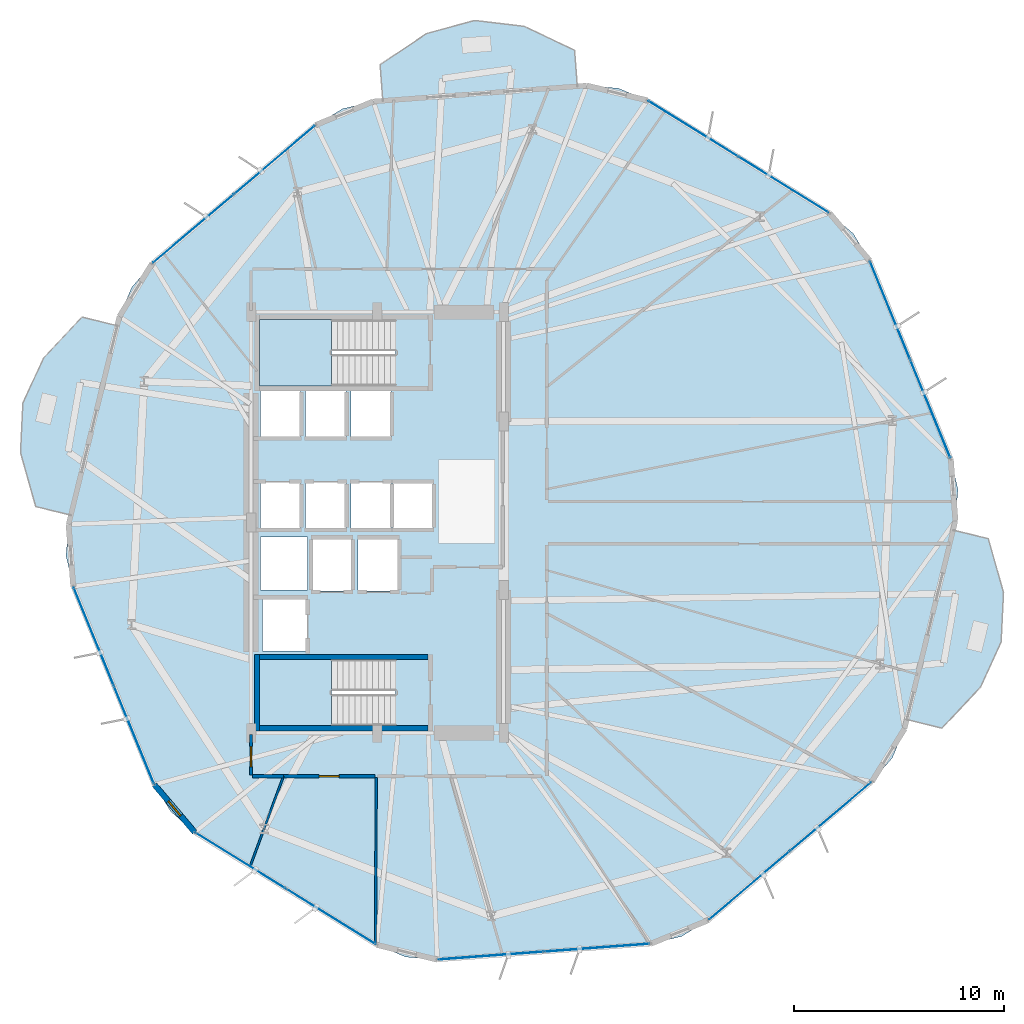
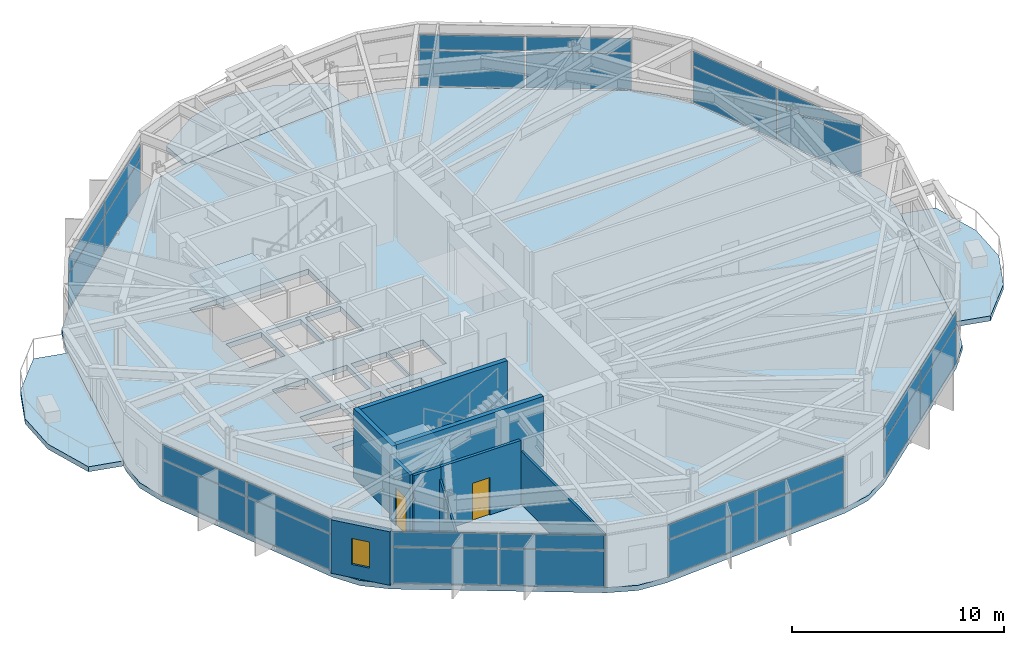
# One storey, part 15 of 22: 28 plates, 9 walls, 6 slabs, 2 doors, 1 window, 3 openings, 9 elements without a shape of their own.
"""IFC4 building model written with IfcOpenShell, lengths in metres."""

import ifcopenshell
import ifcopenshell.guid

model = None  # the IFC model being written
_history = None  # IfcOwnerHistory: only IFC2X3 demands one
_inside = {}  # id of a spatial element -> (the spatial element, [elements in it])
_under = {}  # id of a project, library or spatial element -> (it, [spatial elements below it])
_declared = {}  # id of a project -> (the project, [libraries it declares])
_typed = {}  # id of a type object -> (the type object, [elements of that type])
_made_of = {}  # id of a material, layer set ... -> (it, [elements and type objects made of it])


def new_model(schema):
    """Start an empty IFC model of exactly this schema.

    Asked for "IFC4X3", IfcOpenShell would pick the latest addendum, in which some entities
    have other attributes; the version numbers below select the first issue.
    IFC2X3 requires an IfcOwnerHistory on every rooted entity: one is made here for all.
    """
    global model, _history
    if schema == "IFC4X3":
        model = ifcopenshell.file(schema_version=(4, 3, 0, 0))
    else:
        model = ifcopenshell.file(schema=schema)
    _inside.clear()
    _under.clear()
    _declared.clear()
    _typed.clear()
    _made_of.clear()
    _history = None
    if model.schema == "IFC2X3":
        org = make("IfcOrganization", Name="unknown")
        user = make(
            "IfcPersonAndOrganization",
            ThePerson=make("IfcPerson", FamilyName="unknown"),
            TheOrganization=org,
        )
        app = make(
            "IfcApplication",
            ApplicationDeveloper=org,
            Version="unknown",
            ApplicationFullName="unknown",
            ApplicationIdentifier="unknown",
        )
        _history = make(
            "IfcOwnerHistory",
            OwningUser=user,
            OwningApplication=app,
            ChangeAction="ADDED",
            CreationDate=0,
        )
    return model


def make(cls, **values):
    """One entity of the class cls with the attributes given. An attribute that is None is left unset."""
    return model.create_entity(
        cls, **{name: value for name, value in values.items() if value is not None}
    )


def rooted(cls, **values):
    """An entity with a GlobalId (a new one), such as an element, a storey or a relation."""
    return make(cls, GlobalId=ifcopenshell.guid.new(), OwnerHistory=_history, **values)


def si_unit(unit_type, name, prefix=None):
    """IfcSIUnit, for example si_unit("LENGTHUNIT", "METRE", prefix="MILLI")."""
    return make("IfcSIUnit", UnitType=unit_type, Prefix=prefix, Name=name)


def assignment(units):
    """IfcUnitAssignment: the units of a project."""
    return None if units is None else make("IfcUnitAssignment", Units=units)


def point(xyz):
    """IfcCartesianPoint."""
    return None if xyz is None else make("IfcCartesianPoint", Coordinates=xyz)


def direction(xyz):
    """IfcDirection."""
    return None if xyz is None else make("IfcDirection", DirectionRatios=xyz)


def frame(location, z_axis=None, x_axis=None):
    """IfcAxis2Placement3D, a coordinate frame: its origin and axes. An axis left out is left unset."""
    return make(
        "IfcAxis2Placement3D",
        Location=point(location),
        Axis=direction(z_axis),
        RefDirection=direction(x_axis),
    )


def frame_2d(location, x_axis=None):
    """IfcAxis2Placement2D, a coordinate frame in the plane: its origin and x axis."""
    return make(
        "IfcAxis2Placement2D", Location=point(location), RefDirection=direction(x_axis)
    )


def origin():
    """The frame at (0, 0, 0) with its axes left unset."""
    return frame((0.0, 0.0, 0.0))


def origin_2d():
    """The frame at (0, 0) in the plane with its x axis left unset."""
    return frame_2d((0.0, 0.0))


def place(relative_to, where):
    """IfcLocalPlacement: puts the frame where relative to a parent placement (None: the world)."""
    return make(
        "IfcLocalPlacement", PlacementRelTo=relative_to, RelativePlacement=where
    )


def context(
    kind, dimensions, precision=None, world=None, true_north=None, identifier=None
):
    """IfcGeometricRepresentationContext, for example the 3D "Model" context."""
    return make(
        "IfcGeometricRepresentationContext",
        ContextIdentifier=identifier,
        ContextType=kind,
        CoordinateSpaceDimension=dimensions,
        Precision=precision,
        WorldCoordinateSystem=world,
        TrueNorth=true_north,
    )


def subcontext(parent, identifier, kind, view, scale=None):
    """IfcGeometricRepresentationSubContext, for example "Body" below "Model"."""
    return make(
        "IfcGeometricRepresentationSubContext",
        ContextIdentifier=identifier,
        ContextType=kind,
        ParentContext=parent,
        TargetScale=scale,
        TargetView=view,
    )


def project(units=None, contexts=None):
    """IfcProject with its units and contexts."""
    return rooted(
        "IfcProject",
        Name="project",
        RepresentationContexts=contexts,
        UnitsInContext=assignment(units),
    )


def spatial(cls, under=None, at=None, **own):
    """A site, building, storey or space (cls), placed at a placement, below another one or the project."""
    s = rooted(cls, ObjectPlacement=at, **own)
    if under is not None:
        _under.setdefault(under.id(), (under, []))[1].append(s)
    return s


def polyline(points):
    """IfcPolyline through the points."""
    return make("IfcPolyline", Points=[point(p) for p in points])


def profile(cls, at=None, kind="AREA", **sizes):
    """A parametric profile (cls). Its sizes go by their IFC names, for example OverallWidth=200.0."""
    return make(cls, ProfileType=kind, Position=at, **sizes)


def rectangle(**sizes):
    """IfcRectangleProfileDef."""
    return profile("IfcRectangleProfileDef", **sizes)


def outline(outer, holes=None, kind="AREA"):
    """IfcArbitraryClosedProfileDef: a profile drawn as a closed curve; with holes, ...WithVoids."""
    if holes is None:
        return make("IfcArbitraryClosedProfileDef", ProfileType=kind, OuterCurve=outer)
    return make(
        "IfcArbitraryProfileDefWithVoids",
        ProfileType=kind,
        OuterCurve=outer,
        InnerCurves=holes,
    )


def extrude(swept, where, along, depth):
    """IfcExtrudedAreaSolid: the profile swept, set in the frame where, extruded along a direction by depth."""
    return make(
        "IfcExtrudedAreaSolid",
        SweptArea=swept,
        Position=where,
        ExtrudedDirection=direction(along),
        Depth=depth,
    )


def shape(context_of_items, identifier, shape_type, items):
    """IfcShapeRepresentation: the items that make up one representation, for example the "Body"."""
    return make(
        "IfcShapeRepresentation",
        ContextOfItems=context_of_items,
        RepresentationIdentifier=identifier,
        RepresentationType=shape_type,
        Items=items,
    )


def material(Name=None, Category=None):
    """IfcMaterial."""
    return make("IfcMaterial", Name=Name, Category=Category)


def layer(
    of_material, thickness, ventilated=None, Name=None, Category=None, Priority=None
):
    """IfcMaterialLayer: one layer of a wall or slab, of a material (None: an air gap)."""
    return make(
        "IfcMaterialLayer",
        Material=of_material,
        LayerThickness=thickness,
        IsVentilated=ventilated,
        Name=Name,
        Category=Category,
        Priority=Priority,
    )


def layer_set(layers, Name=None):
    """IfcMaterialLayerSet."""
    return make("IfcMaterialLayerSet", MaterialLayers=layers, LayerSetName=Name)


def made_of(thing, what):
    """Note that an element or type object is made of a material, layer set ...; save() writes the relation."""
    if what is not None:
        _made_of.setdefault(what.id(), (what, []))[1].append(thing)
    return thing


def type_object(cls, material=None, **own):
    """A type object (cls), such as IfcWallType, which elements share."""
    return made_of(rooted(cls, **own), material)


def element(
    cls,
    number,
    at=None,
    inside=None,
    cuts=None,
    type_object=None,
    material=None,
    context=None,
    identifier="Body",
    shape_type=None,
    held_by="IfcProductDefinitionShape",
    body=None,
    shapes=None,
    **own,
):
    """One element of the class cls, such as IfcWall. Its Tag is "e" and its number.

    at: its placement. inside: the storey or other place that contains it. cuts: it is an
    opening in that element (IfcRelVoidsElement). A single representation is given by context,
    identifier, shape_type and body (its items); several are given by shapes. held_by: the class
    of the entity that holds the representations. save() writes the other relations.
    """
    e = rooted(cls, Tag="e%d" % number, ObjectPlacement=at, **own)
    if body is not None:
        shapes = [shape(context, identifier, shape_type, body)]
    if shapes is not None:
        e.Representation = make(held_by, Representations=shapes)
    if inside is not None:
        _inside.setdefault(inside.id(), (inside, []))[1].append(e)
    if cuts is not None:
        rooted(
            "IfcRelVoidsElement", RelatingBuildingElement=cuts, RelatedOpeningElement=e
        )
    if type_object is not None:
        _typed.setdefault(type_object.id(), (type_object, []))[1].append(e)
    return made_of(e, material)


def fill(opening, filler):
    """IfcRelFillsElement: the door or window that sits in an opening."""
    return rooted(
        "IfcRelFillsElement",
        RelatingOpeningElement=opening,
        RelatedBuildingElement=filler,
    )


def aggregate(whole, parts):
    """IfcRelAggregates: a whole, such as a stair, and the parts it consists of."""
    return rooted("IfcRelAggregates", RelatingObject=whole, RelatedObjects=parts)


def save(model, path):
    """Write the relations noted so far, then the file.

    IfcRelAggregates (storeys below a building ...), IfcRelContainedInSpatialStructure (elements
    in a storey), IfcRelDefinesByType, IfcRelAssociatesMaterial and IfcRelDeclares: one each for
    every whole, place, type object, material and project.
    """
    for whole, parts in _under.values():
        aggregate(whole, parts)
    for where, things in _inside.values():
        rooted(
            "IfcRelContainedInSpatialStructure",
            RelatedElements=things,
            RelatingStructure=where,
        )
    for kind, things in _typed.values():
        rooted("IfcRelDefinesByType", RelatedObjects=things, RelatingType=kind)
    for what, things in _made_of.values():
        rooted("IfcRelAssociatesMaterial", RelatedObjects=things, RelatingMaterial=what)
    for by, libraries in _declared.values():
        rooted("IfcRelDeclares", RelatingContext=by, RelatedDefinitions=libraries)
    model.write(path)


model = new_model("IFC4")

# Units and contexts
model_context = context("Model", 3, precision=1e-05, world=origin(), true_north=direction((0.0, 1.0)))
body_context = subcontext(model_context, "Body", "Model", "MODEL_VIEW")
ifc_project = project(units=[si_unit("LENGTHUNIT", "METRE"), si_unit("AREAUNIT", "SQUARE_METRE"), si_unit("VOLUMEUNIT", "CUBIC_METRE"), si_unit("PLANEANGLEUNIT", "RADIAN"), si_unit("MASSUNIT", "GRAM", prefix="KILO")], contexts=[model_context])

# Site, building, storey
site_placement = place(None, origin())
site = spatial("IfcSite", under=ifc_project, at=site_placement, CompositionType="ELEMENT")
building_placement = place(site_placement, origin())
building = spatial("IfcBuilding", under=site, at=building_placement, Name="Soratama Intermodal Tower", CompositionType="ELEMENT")
storey_placement = place(building_placement, frame((0.0, 0.0, 46.60009765625)))
storey = spatial("IfcBuildingStorey", under=building, at=storey_placement, Name="L10", CompositionType="ELEMENT", Elevation=46.60009765625)

# Curtain wall, plates
ifc_material_1 = material(Name="Double-glazed aluminium curtain wall", Category="aluminium")
ifc_layer_1 = layer(ifc_material_1, 0.159912109375)
ifc_layer_set_1 = layer_set([ifc_layer_1], Name="Double-glazed aluminium curtain wall")
curtain_wall_type = type_object("IfcCurtainWallType", Name="CW-SYS-2", PredefinedType="NOTDEFINED", material=ifc_layer_set_1)
curtain_wall_1_placement = place(storey_placement, origin())
curtain_wall_1 = element("IfcCurtainWall", 1, at=curtain_wall_1_placement, inside=storey, type_object=curtain_wall_type, Name="L10 Faceted Curtain Wall F01", PredefinedType="NOTDEFINED")
ifc_material_2 = material(Name="Low-E laminated double glazing", Category="glass")
ifc_layer_2 = layer(ifc_material_2, 0.031982421875)
ifc_layer_set_2 = layer_set([ifc_layer_2], Name="Low-E laminated double glazing")
plate_type = type_object("IfcPlateType", Name="PT-CWP-2", PredefinedType="CURTAIN_PANEL", material=ifc_layer_set_2)
plate_1_placement = place(storey_placement, frame((64.876220703125, 30.40576171875, 0.059814453125), z_axis=(0.0, 0.0, 1.0), x_axis=(-0.378812873636, 0.925473287982, 0.0)))
plate_1 = element("IfcPlate", 2, at=plate_1_placement, type_object=plate_type, Name="CW-2 panel 1.1", PredefinedType="CURTAIN_PANEL", context=body_context, shape_type="SweptSolid", body=[
    extrude(rectangle(XDim=4.99267578125, YDim=0.028076171875, at=origin_2d()), origin(), (0.0, 0.0, 1.0), 2.06005859375),
])
plate_2_placement = place(storey_placement, frame((64.876220703125, 30.40576171875, 2.1796875), z_axis=(0.0, 0.0, 1.0), x_axis=(-0.378812873636, 0.925473287982, 0.0)))
plate_2 = element("IfcPlate", 3, at=plate_2_placement, type_object=plate_type, Name="CW-2 panel 1.2", PredefinedType="CURTAIN_PANEL", context=body_context, shape_type="SweptSolid", body=[
    extrude(rectangle(XDim=4.99267578125, YDim=0.028076171875, at=origin_2d()), origin(), (0.0, 0.0, 1.0), 0.839111328125),
])
plate_3_placement = place(storey_placement, frame((62.962158203125, 35.08203125, 0.059814453125), z_axis=(0.0, 0.0, 1.0), x_axis=(-0.378812873636, 0.925473287982, 0.0)))
plate_3 = element("IfcPlate", 4, at=plate_3_placement, type_object=plate_type, Name="CW-2 panel 2.1", PredefinedType="CURTAIN_PANEL", context=body_context, shape_type="SweptSolid", body=[
    extrude(rectangle(XDim=4.99267578125, YDim=0.028076171875, at=origin_2d()), origin(), (0.0, 0.0, 1.0), 2.06005859375),
])
plate_4_placement = place(storey_placement, frame((62.962158203125, 35.08203125, 2.1796875), z_axis=(0.0, 0.0, 1.0), x_axis=(-0.378812873636, 0.925473287982, 0.0)))
plate_4 = element("IfcPlate", 5, at=plate_4_placement, type_object=plate_type, Name="CW-2 panel 2.2", PredefinedType="CURTAIN_PANEL", context=body_context, shape_type="SweptSolid", body=[
    extrude(rectangle(XDim=4.99267578125, YDim=0.028076171875, at=origin_2d()), origin(), (0.0, 0.0, 1.0), 0.839111328125),
])
aggregate(curtain_wall_1, [plate_1, plate_2, plate_3, plate_4])

curtain_wall_2_placement = place(storey_placement, origin())
curtain_wall_2 = element("IfcCurtainWall", 6, at=curtain_wall_2_placement, inside=storey, type_object=curtain_wall_type, Name="L10 Faceted Curtain Wall F02", PredefinedType="NOTDEFINED")
plate_5_placement = place(storey_placement, frame((57.902587890625, 41.056396484375, 0.059814453125), z_axis=(0.0, 0.0, 1.0), x_axis=(-0.85044853951, 0.526058249289, 0.0)))
plate_5 = element("IfcPlate", 7, at=plate_5_placement, type_object=plate_type, Name="CW-2 panel 1.1", PredefinedType="CURTAIN_PANEL", context=body_context, shape_type="SweptSolid", body=[
    extrude(rectangle(XDim=4.99267578125, YDim=0.028076171875, at=origin_2d()), origin(), (0.0, 0.0, 1.0), 2.06005859375),
])
plate_6_placement = place(storey_placement, frame((57.902587890625, 41.056396484375, 2.1796875), z_axis=(0.0, 0.0, 1.0), x_axis=(-0.85044853951, 0.526058249289, 0.0)))
plate_6 = element("IfcPlate", 8, at=plate_6_placement, type_object=plate_type, Name="CW-2 panel 1.2", PredefinedType="CURTAIN_PANEL", context=body_context, shape_type="SweptSolid", body=[
    extrude(rectangle(XDim=4.99267578125, YDim=0.028076171875, at=origin_2d()), origin(), (0.0, 0.0, 1.0), 0.839111328125),
])
plate_7_placement = place(storey_placement, frame((53.605712890625, 43.71435546875, 0.059814453125), z_axis=(0.0, 0.0, 1.0), x_axis=(-0.85044853951, 0.526058249289, 0.0)))
plate_7 = element("IfcPlate", 9, at=plate_7_placement, type_object=plate_type, Name="CW-2 panel 2.1", PredefinedType="CURTAIN_PANEL", context=body_context, shape_type="SweptSolid", body=[
    extrude(rectangle(XDim=4.99267578125, YDim=0.028076171875, at=origin_2d()), origin(), (0.0, 0.0, 1.0), 2.06005859375),
])
plate_8_placement = place(storey_placement, frame((53.605712890625, 43.71435546875, 2.1796875), z_axis=(0.0, 0.0, 1.0), x_axis=(-0.85044853951, 0.526058249289, 0.0)))
plate_8 = element("IfcPlate", 10, at=plate_8_placement, type_object=plate_type, Name="CW-2 panel 2.2", PredefinedType="CURTAIN_PANEL", context=body_context, shape_type="SweptSolid", body=[
    extrude(rectangle(XDim=4.99267578125, YDim=0.028076171875, at=origin_2d()), origin(), (0.0, 0.0, 1.0), 0.839111328125),
])
aggregate(curtain_wall_2, [plate_5, plate_6, plate_7, plate_8])

curtain_wall_3_placement = place(storey_placement, origin())
curtain_wall_3 = element("IfcCurtainWall", 11, at=curtain_wall_3_placement, inside=storey, type_object=curtain_wall_type, Name="L10 Faceted Curtain Wall F04", PredefinedType="NOTDEFINED")
plate_9_placement = place(storey_placement, frame((33.716552734375, 42.23291015625, 0.059814453125), z_axis=(0.0, 0.0, 1.0), x_axis=(-0.763117929419, -0.646259255872, 0.0)))
plate_9 = element("IfcPlate", 12, at=plate_9_placement, type_object=plate_type, Name="CW-2 panel 1.1", PredefinedType="CURTAIN_PANEL", context=body_context, shape_type="SweptSolid", body=[
    extrude(rectangle(XDim=4.99267578125, YDim=0.028076171875, at=origin_2d()), origin(), (0.0, 0.0, 1.0), 2.06005859375),
])
plate_10_placement = place(storey_placement, frame((33.716552734375, 42.23291015625, 2.1796875), z_axis=(0.0, 0.0, 1.0), x_axis=(-0.763117929419, -0.646259255872, 0.0)))
plate_10 = element("IfcPlate", 13, at=plate_10_placement, type_object=plate_type, Name="CW-2 panel 1.2", PredefinedType="CURTAIN_PANEL", context=body_context, shape_type="SweptSolid", body=[
    extrude(rectangle(XDim=4.99267578125, YDim=0.028076171875, at=origin_2d()), origin(), (0.0, 0.0, 1.0), 0.839111328125),
])
plate_11_placement = place(storey_placement, frame((29.86083984375, 38.967529296875, 0.059814453125), z_axis=(0.0, 0.0, 1.0), x_axis=(-0.763117929419, -0.646259255872, 0.0)))
plate_11 = element("IfcPlate", 14, at=plate_11_placement, type_object=plate_type, Name="CW-2 panel 2.1", PredefinedType="CURTAIN_PANEL", context=body_context, shape_type="SweptSolid", body=[
    extrude(rectangle(XDim=4.99267578125, YDim=0.028076171875, at=origin_2d()), origin(), (0.0, 0.0, 1.0), 2.06005859375),
])
plate_12_placement = place(storey_placement, frame((29.86083984375, 38.967529296875, 2.1796875), z_axis=(0.0, 0.0, 1.0), x_axis=(-0.763117929419, -0.646259255872, 0.0)))
plate_12 = element("IfcPlate", 15, at=plate_12_placement, type_object=plate_type, Name="CW-2 panel 2.2", PredefinedType="CURTAIN_PANEL", context=body_context, shape_type="SweptSolid", body=[
    extrude(rectangle(XDim=4.99267578125, YDim=0.028076171875, at=origin_2d()), origin(), (0.0, 0.0, 1.0), 0.839111328125),
])
aggregate(curtain_wall_3, [plate_9, plate_10, plate_11, plate_12])

curtain_wall_4_placement = place(storey_placement, origin())
curtain_wall_4 = element("IfcCurtainWall", 16, at=curtain_wall_4_placement, inside=storey, type_object=curtain_wall_type, Name="L10 Faceted Curtain Wall F06", PredefinedType="NOTDEFINED")
plate_13_placement = place(storey_placement, frame((25.123779296875, 19.59423828125, 0.059814453125), z_axis=(0.0, 0.0, 1.0), x_axis=(0.378812873636, -0.925473287982, 0.0)))
plate_13 = element("IfcPlate", 17, at=plate_13_placement, type_object=plate_type, Name="CW-2 panel 1.1", PredefinedType="CURTAIN_PANEL", context=body_context, shape_type="SweptSolid", body=[
    extrude(rectangle(XDim=4.99267578125, YDim=0.028076171875, at=origin_2d()), origin(), (0.0, 0.0, 1.0), 2.06005859375),
])
plate_14_placement = place(storey_placement, frame((25.123779296875, 19.59423828125, 2.1796875), z_axis=(0.0, 0.0, 1.0), x_axis=(0.378812873636, -0.925473287982, 0.0)))
plate_14 = element("IfcPlate", 18, at=plate_14_placement, type_object=plate_type, Name="CW-2 panel 1.2", PredefinedType="CURTAIN_PANEL", context=body_context, shape_type="SweptSolid", body=[
    extrude(rectangle(XDim=4.99267578125, YDim=0.028076171875, at=origin_2d()), origin(), (0.0, 0.0, 1.0), 0.839111328125),
])
plate_15_placement = place(storey_placement, frame((27.037841796875, 14.91796875, 0.059814453125), z_axis=(0.0, 0.0, 1.0), x_axis=(0.378812873636, -0.925473287982, 0.0)))
plate_15 = element("IfcPlate", 19, at=plate_15_placement, type_object=plate_type, Name="CW-2 panel 2.1", PredefinedType="CURTAIN_PANEL", context=body_context, shape_type="SweptSolid", body=[
    extrude(rectangle(XDim=4.99267578125, YDim=0.028076171875, at=origin_2d()), origin(), (0.0, 0.0, 1.0), 2.06005859375),
])
plate_16_placement = place(storey_placement, frame((27.037841796875, 14.91796875, 2.1796875), z_axis=(0.0, 0.0, 1.0), x_axis=(0.378812873636, -0.925473287982, 0.0)))
plate_16 = element("IfcPlate", 20, at=plate_16_placement, type_object=plate_type, Name="CW-2 panel 2.2", PredefinedType="CURTAIN_PANEL", context=body_context, shape_type="SweptSolid", body=[
    extrude(rectangle(XDim=4.99267578125, YDim=0.028076171875, at=origin_2d()), origin(), (0.0, 0.0, 1.0), 0.839111328125),
])
aggregate(curtain_wall_4, [plate_13, plate_14, plate_15, plate_16])

curtain_wall_5_placement = place(storey_placement, origin())
curtain_wall_5 = element("IfcCurtainWall", 21, at=curtain_wall_5_placement, inside=storey, type_object=curtain_wall_type, Name="L10 Faceted Curtain Wall F07", PredefinedType="NOTDEFINED")
plate_17_placement = place(storey_placement, frame((32.097412109375, 8.943603515625, 0.059814453125), z_axis=(0.0, 0.0, 1.0), x_axis=(0.85044853951, -0.526058249289, 0.0)))
plate_17 = element("IfcPlate", 22, at=plate_17_placement, type_object=plate_type, Name="CW-2 panel 1.1", PredefinedType="CURTAIN_PANEL", context=body_context, shape_type="SweptSolid", body=[
    extrude(rectangle(XDim=4.99267578125, YDim=0.028076171875, at=origin_2d()), origin(), (0.0, 0.0, 1.0), 2.06005859375),
])
plate_18_placement = place(storey_placement, frame((32.097412109375, 8.943603515625, 2.1796875), z_axis=(0.0, 0.0, 1.0), x_axis=(0.85044853951, -0.526058249289, 0.0)))
plate_18 = element("IfcPlate", 23, at=plate_18_placement, type_object=plate_type, Name="CW-2 panel 1.2", PredefinedType="CURTAIN_PANEL", context=body_context, shape_type="SweptSolid", body=[
    extrude(rectangle(XDim=4.99267578125, YDim=0.028076171875, at=origin_2d()), origin(), (0.0, 0.0, 1.0), 0.839111328125),
])
plate_19_placement = place(storey_placement, frame((36.394287109375, 6.28564453125, 0.059814453125), z_axis=(0.0, 0.0, 1.0), x_axis=(0.85044853951, -0.526058249289, 0.0)))
plate_19 = element("IfcPlate", 24, at=plate_19_placement, type_object=plate_type, Name="CW-2 panel 2.1", PredefinedType="CURTAIN_PANEL", context=body_context, shape_type="SweptSolid", body=[
    extrude(rectangle(XDim=4.99267578125, YDim=0.028076171875, at=origin_2d()), origin(), (0.0, 0.0, 1.0), 2.06005859375),
])
plate_20_placement = place(storey_placement, frame((36.394287109375, 6.28564453125, 2.1796875), z_axis=(0.0, 0.0, 1.0), x_axis=(0.85044853951, -0.526058249289, 0.0)))
plate_20 = element("IfcPlate", 25, at=plate_20_placement, type_object=plate_type, Name="CW-2 panel 2.2", PredefinedType="CURTAIN_PANEL", context=body_context, shape_type="SweptSolid", body=[
    extrude(rectangle(XDim=4.99267578125, YDim=0.028076171875, at=origin_2d()), origin(), (0.0, 0.0, 1.0), 0.839111328125),
])
aggregate(curtain_wall_5, [plate_17, plate_18, plate_19, plate_20])

curtain_wall_6_placement = place(storey_placement, origin())
curtain_wall_6 = element("IfcCurtainWall", 26, at=curtain_wall_6_placement, inside=storey, type_object=curtain_wall_type, Name="L10 Faceted Curtain Wall F08", PredefinedType="NOTDEFINED")
plate_21_placement = place(storey_placement, frame((43.999267578125, 4.42626953125, 0.059814453125), z_axis=(0.0, 0.0, 1.0), x_axis=(0.997237204267, 0.074282961886, 0.0)))
plate_21 = element("IfcPlate", 27, at=plate_21_placement, type_object=plate_type, Name="CW-2 panel 1.1", PredefinedType="CURTAIN_PANEL", context=body_context, shape_type="SweptSolid", body=[
    extrude(rectangle(XDim=4.99267578125, YDim=0.028076171875, at=origin_2d()), origin(), (0.0, 0.0, 1.0), 2.06005859375),
])
plate_22_placement = place(storey_placement, frame((43.999267578125, 4.42626953125, 2.1796875), z_axis=(0.0, 0.0, 1.0), x_axis=(0.997237204267, 0.074282961886, 0.0)))
plate_22 = element("IfcPlate", 28, at=plate_22_placement, type_object=plate_type, Name="CW-2 panel 1.2", PredefinedType="CURTAIN_PANEL", context=body_context, shape_type="SweptSolid", body=[
    extrude(rectangle(XDim=4.99267578125, YDim=0.028076171875, at=origin_2d()), origin(), (0.0, 0.0, 1.0), 0.839111328125),
])
plate_23_placement = place(storey_placement, frame((49.037841796875, 4.801513671875, 0.059814453125), z_axis=(0.0, 0.0, 1.0), x_axis=(0.997237204267, 0.074282961886, 0.0)))
plate_23 = element("IfcPlate", 29, at=plate_23_placement, type_object=plate_type, Name="CW-2 panel 2.1", PredefinedType="CURTAIN_PANEL", context=body_context, shape_type="SweptSolid", body=[
    extrude(rectangle(XDim=4.99267578125, YDim=0.028076171875, at=origin_2d()), origin(), (0.0, 0.0, 1.0), 2.06005859375),
])
plate_24_placement = place(storey_placement, frame((49.037841796875, 4.801513671875, 2.1796875), z_axis=(0.0, 0.0, 1.0), x_axis=(0.997237204267, 0.074282961886, 0.0)))
plate_24 = element("IfcPlate", 30, at=plate_24_placement, type_object=plate_type, Name="CW-2 panel 2.2", PredefinedType="CURTAIN_PANEL", context=body_context, shape_type="SweptSolid", body=[
    extrude(rectangle(XDim=4.99267578125, YDim=0.028076171875, at=origin_2d()), origin(), (0.0, 0.0, 1.0), 0.839111328125),
])
aggregate(curtain_wall_6, [plate_21, plate_22, plate_23, plate_24])

curtain_wall_7_placement = place(storey_placement, origin())
curtain_wall_7 = element("IfcCurtainWall", 31, at=curtain_wall_7_placement, inside=storey, type_object=curtain_wall_type, Name="L10 Faceted Curtain Wall F09", PredefinedType="NOTDEFINED")
plate_25_placement = place(storey_placement, frame((56.283447265625, 7.76708984375, 0.059814453125), z_axis=(0.0, 0.0, 1.0), x_axis=(0.763117929419, 0.646259255872, 0.0)))
plate_25 = element("IfcPlate", 32, at=plate_25_placement, type_object=plate_type, Name="CW-2 panel 1.1", PredefinedType="CURTAIN_PANEL", context=body_context, shape_type="SweptSolid", body=[
    extrude(rectangle(XDim=4.99267578125, YDim=0.028076171875, at=origin_2d()), origin(), (0.0, 0.0, 1.0), 2.06005859375),
])
plate_26_placement = place(storey_placement, frame((56.283447265625, 7.76708984375, 2.1796875), z_axis=(0.0, 0.0, 1.0), x_axis=(0.763117929419, 0.646259255872, 0.0)))
plate_26 = element("IfcPlate", 33, at=plate_26_placement, type_object=plate_type, Name="CW-2 panel 1.2", PredefinedType="CURTAIN_PANEL", context=body_context, shape_type="SweptSolid", body=[
    extrude(rectangle(XDim=4.99267578125, YDim=0.028076171875, at=origin_2d()), origin(), (0.0, 0.0, 1.0), 0.839111328125),
])
plate_27_placement = place(storey_placement, frame((60.13916015625, 11.032470703125, 0.059814453125), z_axis=(0.0, 0.0, 1.0), x_axis=(0.763117929419, 0.646259255872, 0.0)))
plate_27 = element("IfcPlate", 34, at=plate_27_placement, type_object=plate_type, Name="CW-2 panel 2.1", PredefinedType="CURTAIN_PANEL", context=body_context, shape_type="SweptSolid", body=[
    extrude(rectangle(XDim=4.99267578125, YDim=0.028076171875, at=origin_2d()), origin(), (0.0, 0.0, 1.0), 2.06005859375),
])
plate_28_placement = place(storey_placement, frame((60.13916015625, 11.032470703125, 2.1796875), z_axis=(0.0, 0.0, 1.0), x_axis=(0.763117929419, 0.646259255872, 0.0)))
plate_28 = element("IfcPlate", 35, at=plate_28_placement, type_object=plate_type, Name="CW-2 panel 2.2", PredefinedType="CURTAIN_PANEL", context=body_context, shape_type="SweptSolid", body=[
    extrude(rectangle(XDim=4.99267578125, YDim=0.028076171875, at=origin_2d()), origin(), (0.0, 0.0, 1.0), 0.839111328125),
])
aggregate(curtain_wall_7, [plate_25, plate_26, plate_27, plate_28])

# Slabs
ifc_material_3 = material(Name="Concrete f'c 42 MPa", Category="concrete")
ifc_layer_3 = layer(ifc_material_3, 0.2900390625)
ifc_layer_set_3 = layer_set([ifc_layer_3], Name="Concrete f'c 42 MPa")
slab_type_1 = type_object("IfcSlabType", Name="SL-EXT-BAL2", PredefinedType="FLOOR", material=ifc_layer_set_3)
slab_1_placement = place(storey_placement, frame((0.0, 0.0, -0.2900390625)))
element("IfcSlab", 36, at=slab_1_placement, inside=storey, type_object=slab_type_1, Name="L10 Planted Balcony East 1", PredefinedType="FLOOR", context=body_context, shape_type="SweptSolid", body=[
    extrude(outline(polyline([(63.75732421875, 15.64453125), (65.9580078125, 24.64453125), (67.62890625, 24.236083984375), (68.35205078125, 21.6748046875), (68.238037109375, 19.318115234375), (67.251708984375, 17.174560546875), (65.42822265625, 15.236083984375), (63.75732421875, 15.64453125)])), origin(), (0.0, 0.0, 1.0), 0.2900390625),
])
slab_2_placement = place(storey_placement, frame((0.0, 0.0, -0.2900390625)))
element("IfcSlab", 37, at=slab_2_placement, inside=storey, type_object=slab_type_1, Name="L10 Planted Balcony North 2", PredefinedType="FLOOR", context=body_context, shape_type="SweptSolid", body=[
    extrude(outline(polyline([(48.101318359375, 45.730224609375), (38.86181640625, 45.0419921875), (38.73388671875, 46.75732421875), (40.9462890625, 48.236572265625), (43.222900390625, 48.8564453125), (45.566162109375, 48.580810546875), (47.973388671875, 47.445556640625), (48.101318359375, 45.730224609375)])), origin(), (0.0, 0.0, 1.0), 0.2900390625),
])
slab_3_placement = place(storey_placement, frame((0.0, 0.0, -0.2900390625)))
element("IfcSlab", 38, at=slab_3_placement, inside=storey, type_object=slab_type_1, Name="L10 Planted Balcony West 3", PredefinedType="FLOOR", context=body_context, shape_type="SweptSolid", body=[
    extrude(outline(polyline([(26.24267578125, 34.35546875), (24.0419921875, 25.35546875), (22.37109375, 25.763916015625), (21.64794921875, 28.3251953125), (21.761962890625, 30.681884765625), (22.748291015625, 32.825439453125), (24.57177734375, 34.763916015625), (26.24267578125, 34.35546875)])), origin(), (0.0, 0.0, 1.0), 0.2900390625),
])

# Stair, slab
ifc_material_4 = material(Name="Concrete f'c 42 MPa", Category="concrete")
stair_type = type_object("IfcStairType", Name="ST-CORE-DOGLEG", PredefinedType="HALF_TURN_STAIR", material=ifc_material_4)
stair_1_placement = place(storey_placement, origin())
stair_1 = element("IfcStair", 39, at=stair_1_placement, inside=storey, type_object=stair_type, Name="L10 ST-1", PredefinedType="HALF_TURN_STAIR")
ifc_material_5 = material(Name="Concrete f'c 42 MPa", Category="concrete")
ifc_layer_4 = layer(ifc_material_5, 0.219970703125)
ifc_layer_set_4 = layer_set([ifc_layer_4], Name="Concrete f'c 42 MPa")
slab_type_2 = type_object("IfcSlabType", Name="SL-STAIR-LAND", PredefinedType="LANDING", material=ifc_layer_set_4)
slab_4_placement = place(storey_placement, frame((0.0, 0.0, 1.7998046875)))
slab_4 = element("IfcSlab", 40, at=slab_4_placement, type_object=slab_type_2, Name="ST-1 landing 1", PredefinedType="LANDING", context=body_context, shape_type="SweptSolid", body=[
    extrude(outline(polyline([(36.419921875, 18.5), (33.0, 18.5), (33.0, 15.35009765625), (36.419921875, 15.35009765625), (36.419921875, 18.5)])), origin(), (0.0, 0.0, 1.0), 0.2001953125),
])
aggregate(stair_1, [slab_4])

stair_2_placement = place(storey_placement, origin())
stair_2 = element("IfcStair", 41, at=stair_2_placement, inside=storey, type_object=stair_type, Name="L10 ST-2", PredefinedType="HALF_TURN_STAIR")
slab_5_placement = place(storey_placement, frame((0.0, 0.0, 1.7998046875)))
slab_5 = element("IfcSlab", 42, at=slab_5_placement, type_object=slab_type_2, Name="ST-2 landing 1", PredefinedType="LANDING", context=body_context, shape_type="SweptSolid", body=[
    extrude(outline(polyline([(36.419921875, 34.64990234375), (33.0, 34.64990234375), (33.0, 31.5), (36.419921875, 31.5), (36.419921875, 34.64990234375)])), origin(), (0.0, 0.0, 1.0), 0.2001953125),
])
aggregate(stair_2, [slab_5])

# Slab
ifc_material_6 = material(Name="Concrete f'c 42 MPa", Category="concrete")
ifc_layer_5 = layer(ifc_material_6, 0.280029296875)
ifc_layer_set_5 = layer_set([ifc_layer_5], Name="Concrete f'c 42 MPa")
slab_type_3 = type_object("IfcSlabType", Name="SL-TWR-280", PredefinedType="FLOOR", material=ifc_layer_set_5)
slab_6_placement = place(storey_placement, frame((0.0, 0.0, -0.300048828125)))
element("IfcSlab", 43, at=slab_6_placement, inside=storey, type_object=slab_type_3, Name="L10 Structural Floor Slab", PredefinedType="FLOOR", context=body_context, shape_type="SweptSolid", body=[
    extrude(outline(polyline([(66.06494140625, 25.081787109375), (66.18896484375, 26.578369140625), (65.844482421875, 28.0400390625), (61.993896484375, 37.44775390625), (61.214599609375, 38.7314453125), (60.07666015625, 39.711669921875), (51.431640625, 45.05908203125), (50.046630859375, 45.6396484375), (48.550048828125, 45.763671875), (38.412841796875, 45.008544921875), (36.951171875, 44.664306640625), (35.66748046875, 43.885009765625), (27.91015625, 37.3154296875), (26.929931640625, 36.177734375), (26.349609375, 34.79248046875), (23.93505859375, 24.918212890625), (23.81103515625, 23.421630859375), (24.155517578125, 21.9599609375), (28.006103515625, 12.55224609375), (28.785400390625, 11.2685546875), (29.92333984375, 10.288330078125), (38.568359375, 4.94091796875), (39.953369140625, 4.3603515625), (41.449951171875, 4.236328125), (51.587158203125, 4.991455078125), (53.048828125, 5.335693359375), (54.33251953125, 6.114990234375), (62.08984375, 12.6845703125), (63.070068359375, 13.822265625), (63.650390625, 15.20751953125), (66.06494140625, 25.081787109375)]), holes=[polyline([(33.0, 18.5), (33.0, 15.35009765625), (39.47509765625, 15.35009765625), (39.47509765625, 18.5), (33.0, 18.5)]), polyline([(35.260009765625, 18.889892578125), (35.260009765625, 21.409912109375), (33.139892578125, 21.409912109375), (33.139892578125, 18.889892578125), (35.260009765625, 18.889892578125)]), polyline([(33.050048828125, 21.800048828125), (35.280029296875, 21.800048828125), (35.280029296875, 24.320068359375), (33.050048828125, 24.320068359375), (33.050048828125, 21.800048828125)]), polyline([(34.9599609375, 26.909912109375), (33.0400390625, 26.909912109375), (33.0400390625, 24.68994140625), (34.9599609375, 24.68994140625), (34.9599609375, 26.909912109375)]), polyline([(37.110107421875, 24.68994140625), (37.110107421875, 26.909912109375), (35.18994140625, 26.909912109375), (35.18994140625, 24.68994140625), (37.110107421875, 24.68994140625)]), polyline([(34.9599609375, 29.0400390625), (34.9599609375, 31.260009765625), (33.0400390625, 31.260009765625), (33.0400390625, 29.0400390625), (34.9599609375, 29.0400390625)]), polyline([(37.110107421875, 31.260009765625), (35.18994140625, 31.260009765625), (35.18994140625, 29.0400390625), (37.110107421875, 29.0400390625), (37.110107421875, 31.260009765625)]), polyline([(37.409912109375, 21.739990234375), (37.409912109375, 24.260009765625), (35.489990234375, 24.260009765625), (35.489990234375, 21.739990234375), (37.409912109375, 21.739990234375)]), polyline([(39.610107421875, 21.739990234375), (39.610107421875, 24.260009765625), (37.68994140625, 24.260009765625), (37.68994140625, 21.739990234375), (39.610107421875, 21.739990234375)]), polyline([(39.260009765625, 24.68994140625), (39.260009765625, 26.909912109375), (37.340087890625, 26.909912109375), (37.340087890625, 24.68994140625), (39.260009765625, 24.68994140625)]), polyline([(41.260009765625, 24.68994140625), (41.260009765625, 26.909912109375), (39.340087890625, 26.909912109375), (39.340087890625, 24.68994140625), (41.260009765625, 24.68994140625)]), polyline([(39.260009765625, 29.0400390625), (39.260009765625, 31.260009765625), (37.340087890625, 31.260009765625), (37.340087890625, 29.0400390625), (39.260009765625, 29.0400390625)]), polyline([(39.47509765625, 34.64990234375), (33.0, 34.64990234375), (33.0, 31.5), (39.47509765625, 31.5), (39.47509765625, 34.64990234375)])]), origin(), (0.0, 0.0, 1.0), 0.300048828125),
])

# Wall, opening, window
ifc_material_7 = material(Name="Concrete f'c 42 MPa", Category="concrete")
ifc_layer_6 = layer(ifc_material_7, 0.27001953125)
ifc_layer_set_6 = layer_set([ifc_layer_6], Name="Concrete f'c 42 MPa")
wall_type_1 = type_object("IfcWallType", Name="EW-CRN-270", PredefinedType="SOLIDWALL", material=ifc_layer_set_6)
wall_1_placement = place(storey_placement, frame((28.006103515625, 12.55224609375, 0.0), z_axis=(0.0, 0.0, 1.0), x_axis=(0.646259445531, -0.763117768803, 0.0)))
wall_1 = element("IfcWall", 44, at=wall_1_placement, inside=storey, type_object=wall_type_1, Name="L10 Corner Closure Wall 06", PredefinedType="SOLIDWALL", context=body_context, shape_type="SweptSolid", body=[
    extrude(rectangle(XDim=2.966552734375, YDim=0.27001953125, at=frame_2d((1.4833984375, 0.0))), origin(), (0.0, 0.0, 1.0), 3.078857421875),
])
opening_1_placement = place(wall_1_placement, frame((1.033203125, 0.0, 0.75)))
opening_1 = element("IfcOpeningElement", 45, at=opening_1_placement, cuts=wall_1, Name="Opening WN-6", PredefinedType="OPENING", context=body_context, shape_type="SweptSolid", body=[
    extrude(rectangle(XDim=0.89990234375, YDim=1.5, at=frame_2d((0.449951171875, 0.75))), frame((0.0, 0.14501953125, 0.0), z_axis=(0.0, -1.0, 0.0), x_axis=(1.0, 0.0, 0.0)), (0.0, 0.0, 1.0), 0.2900390625),
])
ifc_material_8 = material(Name="Double-glazed aluminium window", Category="aluminium")
window_type = type_object("IfcWindowType", Name="WN-FAC-900", PartitioningType="SINGLE_PANEL", PredefinedType="WINDOW", material=ifc_material_8)
window_placement = place(opening_1_placement, origin())
window = element("IfcWindow", 46, at=window_placement, inside=storey, type_object=window_type, Name="L10 Corner Window 06", OverallHeight=1.5, OverallWidth=0.89990234375, PartitioningType="SINGLE_PANEL", PredefinedType="WINDOW", context=body_context, shape_type="SweptSolid", body=[
    extrude(rectangle(XDim=0.89990234375, YDim=1.5, at=frame_2d((0.449951171875, 0.75))), frame((0.0, 0.030029296875, 0.0), z_axis=(0.0, -1.0, 0.0), x_axis=(1.0, 0.0, 0.0)), (0.0, 0.0, 1.0), 0.06005859375),
])
fill(opening_1, window)

# Wall, opening, door
ifc_material_9 = material(Name="Fire-rated gypsum stud partition", Category="concrete")
ifc_layer_7 = layer(ifc_material_9, 0.159912109375)
ifc_layer_set_7 = layer_set([ifc_layer_7], Name="Fire-rated gypsum stud partition")
wall_type_2 = type_object("IfcWallType", Name="IW-PART-R160", PredefinedType="PARTITIONING", material=ifc_layer_set_7)
wall_2_placement = place(storey_placement, frame((38.47900390625, 12.949951171875, 0.0), z_axis=(0.0, 0.0, 1.0), x_axis=(-1.0, 0.0, 0.0)))
wall_2 = element("IfcWall", 47, at=wall_2_placement, inside=storey, type_object=wall_type_2, Name="L10 Partition W-L10-TP021", PredefinedType="PARTITIONING", context=body_context, shape_type="SweptSolid", body=[
    extrude(rectangle(XDim=4.3359375, YDim=0.159912109375, at=frame_2d((2.16796875, 0.0))), origin(), (0.0, 0.0, 1.0), 3.699951171875),
])
opening_2_placement = place(wall_2_placement, frame((1.693115234375, 0.0, 0.0)))
opening_2 = element("IfcOpeningElement", 48, at=opening_2_placement, cuts=wall_2, Name="Opening ID-3", PredefinedType="OPENING", context=body_context, shape_type="SweptSolid", body=[
    extrude(rectangle(XDim=0.949951171875, YDim=2.14990234375, at=frame_2d((0.47509765625, 1.074951171875))), frame((0.0, 0.08984375, 0.0), z_axis=(0.0, -1.0, 0.0), x_axis=(1.0, 0.0, 0.0)), (0.0, 0.0, 1.0), 0.179931640625),
])
ifc_material_10 = material(Name="Solid hardwood acoustic door", Category="wood")
door_type = type_object("IfcDoorType", Name="DR-ROOM-950", OperationType="NOTDEFINED", PredefinedType="DOOR", material=ifc_material_10)
door_1_placement = place(opening_2_placement, origin())
door_1 = element("IfcDoor", 49, at=door_1_placement, inside=storey, type_object=door_type, Name="L10 Door D-L10-TP007", OperationType="SINGLE_SWING_RIGHT", OverallHeight=2.14990234375, OverallWidth=0.949951171875, PredefinedType="DOOR", context=body_context, shape_type="SweptSolid", body=[
    extrude(rectangle(XDim=0.949951171875, YDim=2.14990234375, at=frame_2d((0.47509765625, 1.074951171875))), frame((0.0, 0.02490234375, 0.0), z_axis=(0.0, -1.0, 0.0), x_axis=(1.0, 0.0, 0.0)), (0.0, 0.0, 1.0), 0.050048828125),
])
fill(opening_2, door_1)

wall_3_placement = place(storey_placement, frame((32.60009765625, 13.02001953125, 0.0), z_axis=(0.0, 0.0, 1.0), x_axis=(0.0, 1.0, 0.0)))
wall_3 = element("IfcWall", 50, at=wall_3_placement, inside=storey, type_object=wall_type_2, Name="L10 Partition W-L10-TP031", PredefinedType="PARTITIONING", context=body_context, shape_type="SweptSolid", body=[
    extrude(rectangle(XDim=1.909912109375, YDim=0.159912109375, at=frame_2d((0.955078125, 0.0))), origin(), (0.0, 0.0, 1.0), 3.699951171875),
])
opening_3_placement = place(wall_3_placement, frame((0.384033203125, 0.0, 0.0)))
opening_3 = element("IfcOpeningElement", 51, at=opening_3_placement, cuts=wall_3, Name="Opening ID-3", PredefinedType="OPENING", context=body_context, shape_type="SweptSolid", body=[
    extrude(rectangle(XDim=0.949951171875, YDim=2.14990234375, at=frame_2d((0.47509765625, 1.074951171875))), frame((0.0, 0.08984375, 0.0), z_axis=(0.0, -1.0, 0.0), x_axis=(1.0, 0.0, 0.0)), (0.0, 0.0, 1.0), 0.179931640625),
])
door_2_placement = place(opening_3_placement, origin())
door_2 = element("IfcDoor", 52, at=door_2_placement, inside=storey, type_object=door_type, Name="L10 Door D-L10-TP017", OperationType="SINGLE_SWING_RIGHT", OverallHeight=2.14990234375, OverallWidth=0.949951171875, PredefinedType="DOOR", context=body_context, shape_type="SweptSolid", body=[
    extrude(rectangle(XDim=0.949951171875, YDim=2.14990234375, at=frame_2d((0.47509765625, 1.074951171875))), frame((0.0, 0.02490234375, 0.0), z_axis=(0.0, -1.0, 0.0), x_axis=(1.0, 0.0, 0.0)), (0.0, 0.0, 1.0), 0.050048828125),
])
fill(opening_3, door_2)

# Walls
wall_4_placement = place(storey_placement, frame((34.14306640625, 12.949951171875, 0.0), z_axis=(0.0, 0.0, 1.0), x_axis=(-1.0, 0.0, 0.0)))
element("IfcWall", 53, at=wall_4_placement, inside=storey, type_object=wall_type_2, Name="L10 Partition W-L10-TP033", PredefinedType="PARTITIONING", context=body_context, shape_type="SweptSolid", body=[
    extrude(rectangle(XDim=1.47314453125, YDim=0.159912109375, at=frame_2d((0.736572265625, 0.0))), origin(), (0.0, 0.0, 1.0), 3.699951171875),
])
ifc_material_11 = material(Name="Fire-rated gypsum stud partition", Category="concrete")
ifc_layer_8 = layer(ifc_material_11, 0.10009765625)
ifc_layer_set_8 = layer_set([ifc_layer_8], Name="Fire-rated gypsum stud partition")
wall_type_3 = type_object("IfcWallType", Name="IW-PART-S100", PredefinedType="PARTITIONING", material=ifc_layer_set_8)
wall_5_placement = place(storey_placement, frame((34.14306640625, 12.949951171875, 0.0), z_axis=(0.0, 0.0, 1.0), x_axis=(-0.346978836038, -0.937872959063, 0.0)))
element("IfcWall", 54, at=wall_5_placement, inside=storey, type_object=wall_type_3, Name="L10 Partition W-L10-TP019", PredefinedType="PARTITIONING", context=body_context, shape_type="SweptSolid", body=[
    extrude(rectangle(XDim=4.57421875, YDim=0.10009765625, at=frame_2d((2.287109375, 0.0))), origin(), (0.0, 0.0, 1.0), 2.994873046875),
])
ifc_material_12 = material(Name="Fire-rated gypsum stud partition", Category="concrete")
ifc_layer_9 = layer(ifc_material_12, 0.110107421875)
ifc_layer_set_9 = layer_set([ifc_layer_9], Name="Fire-rated gypsum stud partition")
wall_type_4 = type_object("IfcWallType", Name="IW-PART-S110", PredefinedType="PARTITIONING", material=ifc_layer_set_9)
wall_6_placement = place(storey_placement, frame((38.549072265625, 12.8798828125, 0.0), z_axis=(0.0, 0.0, 1.0), x_axis=(-0.004323349132, -0.999990654282, 0.0)))
element("IfcWall", 55, at=wall_6_placement, inside=storey, type_object=wall_type_4, Name="L10 Partition W-L10-TP013", PredefinedType="PARTITIONING", context=body_context, shape_type="SweptSolid", body=[
    extrude(rectangle(XDim=7.90576171875, YDim=0.110107421875, at=frame_2d((3.952880859375, 0.0))), origin(), (0.0, 0.0, 1.0), 3.077880859375),
])
ifc_material_13 = material(Name="Concrete f'c 56 MPa", Category="concrete")
ifc_layer_10 = layer(ifc_material_13, 0.239990234375)
ifc_layer_set_10 = layer_set([ifc_layer_10], Name="Concrete f'c 56 MPa")
wall_type_5 = type_object("IfcWallType", Name="SW-STAIR-240", PredefinedType="SHEAR", material=ifc_layer_set_10)
wall_7_placement = place(storey_placement, frame((32.8798828125, 15.110107421875, 0.0), z_axis=(0.0, 0.0, 1.0), x_axis=(0.0, 1.0, 0.0)))
element("IfcWall", 56, at=wall_7_placement, inside=storey, type_object=wall_type_5, Name="L10 ST-1 Shaft Shear Wall W", PredefinedType="SHEAR", context=body_context, shape_type="SweptSolid", body=[
    extrude(rectangle(XDim=3.6298828125, YDim=0.239990234375, at=frame_2d((1.81494140625, 0.0))), origin(), (0.0, 0.0, 1.0), 4.0),
])
for number, where, z_axis, x_axis, name in (
    (57, (33.0, 15.22998046875, 0.0), (0.0, 0.0, 1.0), (1.0, 0.0, 0.0), "L10 ST-1 Shaft Shear Wall S"),
    (58, (33.0, 18.6201171875, 0.0), (0.0, 0.0, 1.0), (1.0, 0.0, 0.0), "L10 ST-1 Shaft Shear Wall N"),
):
    element("IfcWall", number, at=place(storey_placement, frame(where, z_axis=z_axis, x_axis=x_axis)), inside=storey, type_object=wall_type_5, Name=name, PredefinedType="SHEAR", context=body_context, shape_type="SweptSolid", body=[
        extrude(rectangle(XDim=8.0, YDim=0.239990234375, at=frame_2d((4.0, 0.0))), origin(), (0.0, 0.0, 1.0), 4.0),
    ])

save(model, "model.ifc")
